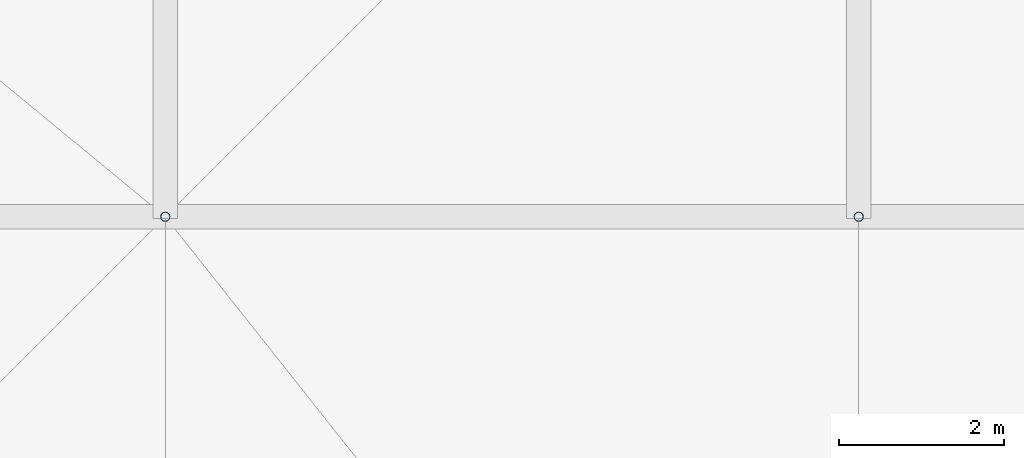
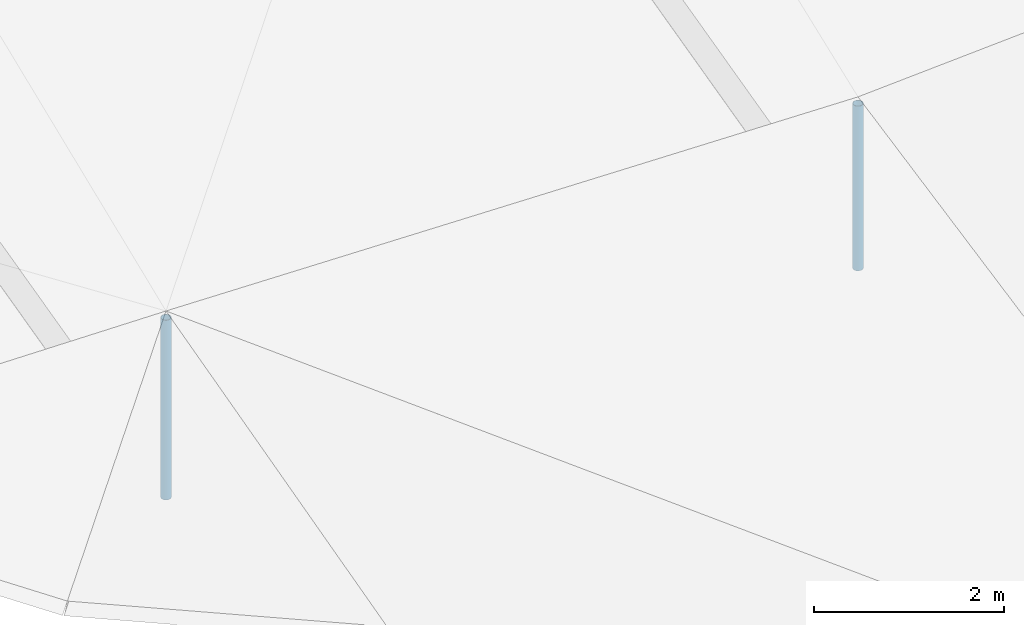
# One storey, part 23 of 111: 2 discrete accessories.
"""IFC4 building model written with IfcOpenShell, lengths in metres."""

import ifcopenshell
import ifcopenshell.guid

model = None  # the IFC model being written
_history = None  # IfcOwnerHistory: only IFC2X3 demands one
_inside = {}  # id of a spatial element -> (the spatial element, [elements in it])
_under = {}  # id of a project, library or spatial element -> (it, [spatial elements below it])
_declared = {}  # id of a project -> (the project, [libraries it declares])
_typed = {}  # id of a type object -> (the type object, [elements of that type])
_made_of = {}  # id of a material, layer set ... -> (it, [elements and type objects made of it])


def new_model(schema):
    """Start an empty IFC model of exactly this schema.

    Asked for "IFC4X3", IfcOpenShell would pick the latest addendum, in which some entities
    have other attributes; the version numbers below select the first issue.
    IFC2X3 requires an IfcOwnerHistory on every rooted entity: one is made here for all.
    """
    global model, _history
    if schema == "IFC4X3":
        model = ifcopenshell.file(schema_version=(4, 3, 0, 0))
    else:
        model = ifcopenshell.file(schema=schema)
    _inside.clear()
    _under.clear()
    _declared.clear()
    _typed.clear()
    _made_of.clear()
    _history = None
    if model.schema == "IFC2X3":
        org = make("IfcOrganization", Name="unknown")
        user = make(
            "IfcPersonAndOrganization",
            ThePerson=make("IfcPerson", FamilyName="unknown"),
            TheOrganization=org,
        )
        app = make(
            "IfcApplication",
            ApplicationDeveloper=org,
            Version="unknown",
            ApplicationFullName="unknown",
            ApplicationIdentifier="unknown",
        )
        _history = make(
            "IfcOwnerHistory",
            OwningUser=user,
            OwningApplication=app,
            ChangeAction="ADDED",
            CreationDate=0,
        )
    return model


def make(cls, **values):
    """One entity of the class cls with the attributes given. An attribute that is None is left unset."""
    return model.create_entity(
        cls, **{name: value for name, value in values.items() if value is not None}
    )


def rooted(cls, **values):
    """An entity with a GlobalId (a new one), such as an element, a storey or a relation."""
    return make(cls, GlobalId=ifcopenshell.guid.new(), OwnerHistory=_history, **values)


def si_unit(unit_type, name, prefix=None):
    """IfcSIUnit, for example si_unit("LENGTHUNIT", "METRE", prefix="MILLI")."""
    return make("IfcSIUnit", UnitType=unit_type, Prefix=prefix, Name=name)


def assignment(units):
    """IfcUnitAssignment: the units of a project."""
    return None if units is None else make("IfcUnitAssignment", Units=units)


def point(xyz):
    """IfcCartesianPoint."""
    return None if xyz is None else make("IfcCartesianPoint", Coordinates=xyz)


def direction(xyz):
    """IfcDirection."""
    return None if xyz is None else make("IfcDirection", DirectionRatios=xyz)


def frame(location, z_axis=None, x_axis=None):
    """IfcAxis2Placement3D, a coordinate frame: its origin and axes. An axis left out is left unset."""
    return make(
        "IfcAxis2Placement3D",
        Location=point(location),
        Axis=direction(z_axis),
        RefDirection=direction(x_axis),
    )


def frame_2d(location, x_axis=None):
    """IfcAxis2Placement2D, a coordinate frame in the plane: its origin and x axis."""
    return make(
        "IfcAxis2Placement2D", Location=point(location), RefDirection=direction(x_axis)
    )


def origin():
    """The frame at (0, 0, 0) with its axes left unset."""
    return frame((0.0, 0.0, 0.0))


def origin_2d():
    """The frame at (0, 0) in the plane with its x axis left unset."""
    return frame_2d((0.0, 0.0))


def place(relative_to, where):
    """IfcLocalPlacement: puts the frame where relative to a parent placement (None: the world)."""
    return make(
        "IfcLocalPlacement", PlacementRelTo=relative_to, RelativePlacement=where
    )


def context(
    kind, dimensions, precision=None, world=None, true_north=None, identifier=None
):
    """IfcGeometricRepresentationContext, for example the 3D "Model" context."""
    return make(
        "IfcGeometricRepresentationContext",
        ContextIdentifier=identifier,
        ContextType=kind,
        CoordinateSpaceDimension=dimensions,
        Precision=precision,
        WorldCoordinateSystem=world,
        TrueNorth=true_north,
    )


def subcontext(parent, identifier, kind, view, scale=None):
    """IfcGeometricRepresentationSubContext, for example "Body" below "Model"."""
    return make(
        "IfcGeometricRepresentationSubContext",
        ContextIdentifier=identifier,
        ContextType=kind,
        ParentContext=parent,
        TargetScale=scale,
        TargetView=view,
    )


def project(units=None, contexts=None):
    """IfcProject with its units and contexts."""
    return rooted(
        "IfcProject",
        Name="project",
        RepresentationContexts=contexts,
        UnitsInContext=assignment(units),
    )


def spatial(cls, under=None, at=None, **own):
    """A site, building, storey or space (cls), placed at a placement, below another one or the project."""
    s = rooted(cls, ObjectPlacement=at, **own)
    if under is not None:
        _under.setdefault(under.id(), (under, []))[1].append(s)
    return s


def profile(cls, at=None, kind="AREA", **sizes):
    """A parametric profile (cls). Its sizes go by their IFC names, for example OverallWidth=200.0."""
    return make(cls, ProfileType=kind, Position=at, **sizes)


def hollow_circle(**sizes):
    """IfcCircleHollowProfileDef."""
    return profile("IfcCircleHollowProfileDef", **sizes)


def extrude(swept, where, along, depth):
    """IfcExtrudedAreaSolid: the profile swept, set in the frame where, extruded along a direction by depth."""
    return make(
        "IfcExtrudedAreaSolid",
        SweptArea=swept,
        Position=where,
        ExtrudedDirection=direction(along),
        Depth=depth,
    )


def shape(context_of_items, identifier, shape_type, items):
    """IfcShapeRepresentation: the items that make up one representation, for example the "Body"."""
    return make(
        "IfcShapeRepresentation",
        ContextOfItems=context_of_items,
        RepresentationIdentifier=identifier,
        RepresentationType=shape_type,
        Items=items,
    )


def material(Name=None, Category=None):
    """IfcMaterial."""
    return make("IfcMaterial", Name=Name, Category=Category)


def material_profile(
    of_material, cross_section, Name=None, Category=None, Priority=None
):
    """IfcMaterialProfile: a cross section and its material."""
    return make(
        "IfcMaterialProfile",
        Name=Name,
        Material=of_material,
        Profile=cross_section,
        Priority=Priority,
        Category=Category,
    )


def profile_set(profiles, Name=None, composite=None):
    """IfcMaterialProfileSet."""
    return make(
        "IfcMaterialProfileSet",
        Name=Name,
        MaterialProfiles=profiles,
        CompositeProfile=composite,
    )


def made_of(thing, what):
    """Note that an element or type object is made of a material, layer set ...; save() writes the relation."""
    if what is not None:
        _made_of.setdefault(what.id(), (what, []))[1].append(thing)
    return thing


def type_object(cls, material=None, **own):
    """A type object (cls), such as IfcWallType, which elements share."""
    return made_of(rooted(cls, **own), material)


def element(
    cls,
    number,
    at=None,
    inside=None,
    cuts=None,
    type_object=None,
    material=None,
    context=None,
    identifier="Body",
    shape_type=None,
    held_by="IfcProductDefinitionShape",
    body=None,
    shapes=None,
    **own,
):
    """One element of the class cls, such as IfcWall. Its Tag is "e" and its number.

    at: its placement. inside: the storey or other place that contains it. cuts: it is an
    opening in that element (IfcRelVoidsElement). A single representation is given by context,
    identifier, shape_type and body (its items); several are given by shapes. held_by: the class
    of the entity that holds the representations. save() writes the other relations.
    """
    e = rooted(cls, Tag="e%d" % number, ObjectPlacement=at, **own)
    if body is not None:
        shapes = [shape(context, identifier, shape_type, body)]
    if shapes is not None:
        e.Representation = make(held_by, Representations=shapes)
    if inside is not None:
        _inside.setdefault(inside.id(), (inside, []))[1].append(e)
    if cuts is not None:
        rooted(
            "IfcRelVoidsElement", RelatingBuildingElement=cuts, RelatedOpeningElement=e
        )
    if type_object is not None:
        _typed.setdefault(type_object.id(), (type_object, []))[1].append(e)
    return made_of(e, material)


def aggregate(whole, parts):
    """IfcRelAggregates: a whole, such as a stair, and the parts it consists of."""
    return rooted("IfcRelAggregates", RelatingObject=whole, RelatedObjects=parts)


def save(model, path):
    """Write the relations noted so far, then the file.

    IfcRelAggregates (storeys below a building ...), IfcRelContainedInSpatialStructure (elements
    in a storey), IfcRelDefinesByType, IfcRelAssociatesMaterial and IfcRelDeclares: one each for
    every whole, place, type object, material and project.
    """
    for whole, parts in _under.values():
        aggregate(whole, parts)
    for where, things in _inside.values():
        rooted(
            "IfcRelContainedInSpatialStructure",
            RelatedElements=things,
            RelatingStructure=where,
        )
    for kind, things in _typed.values():
        rooted("IfcRelDefinesByType", RelatedObjects=things, RelatingType=kind)
    for what, things in _made_of.values():
        rooted("IfcRelAssociatesMaterial", RelatedObjects=things, RelatingMaterial=what)
    for by, libraries in _declared.values():
        rooted("IfcRelDeclares", RelatingContext=by, RelatedDefinitions=libraries)
    model.write(path)


model = new_model("IFC4")

# Units and contexts
model_context = context("Model", 3, precision=1e-05, world=origin(), true_north=direction((0.0, 1.0)))
body_context = subcontext(model_context, "Body", "Model", "MODEL_VIEW")
ifc_project = project(units=[si_unit("LENGTHUNIT", "METRE"), si_unit("AREAUNIT", "SQUARE_METRE"), si_unit("VOLUMEUNIT", "CUBIC_METRE"), si_unit("PLANEANGLEUNIT", "RADIAN"), si_unit("MASSUNIT", "GRAM", prefix="KILO")], contexts=[model_context])

# Site, building, storey
site_placement = place(None, origin())
site = spatial("IfcSite", under=ifc_project, at=site_placement, CompositionType="ELEMENT")
building_placement = place(site_placement, origin())
building = spatial("IfcBuilding", under=site, at=building_placement, Name="Rain Tree Exposition and Congress Centre", CompositionType="ELEMENT")
storey_placement = place(building_placement, frame((0.0, 0.0, 19.5)))
storey = spatial("IfcBuildingStorey", under=building, at=storey_placement, Name="RF", CompositionType="ELEMENT", Elevation=19.5)

# Discrete accessories
ifc_material = material(Name="Steel S355J2H", Category="steel")
ifc_material_profile = material_profile(ifc_material, hollow_circle(Radius=0.05712890625, WallThickness=0.00439453125, at=origin_2d()), Name="CHS 114x4.5")
ifc_profile_set = profile_set([ifc_material_profile], Name="Steel S355J2H")
discrete_accessory_type = type_object("IfcDiscreteAccessoryType", Name="Roof skin post CHS 114x4.5", PredefinedType="BRACKET", material=ifc_profile_set)
discrete_accessory_1_placement = place(storey_placement, frame((16.800048828125, 109.199951171875, 1.11669921875), z_axis=(0.0, 0.0, 1.0), x_axis=(1.0, 0.0, 0.0)))
element("IfcDiscreteAccessory", 1, at=discrete_accessory_1_placement, inside=storey, type_object=discrete_accessory_type, Name="Roof skin post A17", PredefinedType="BRACKET", context=body_context, shape_type="SweptSolid", body=[
    extrude(hollow_circle(Radius=0.05712890625, WallThickness=0.00439453125, at=origin_2d()), origin(), (0.0, 0.0, 1.0), 2.306884765625),
])
discrete_accessory_2_placement = place(storey_placement, frame((25.199951171875, 109.199951171875, 1.11669921875), z_axis=(0.0, 0.0, 1.0), x_axis=(1.0, 0.0, 0.0)))
element("IfcDiscreteAccessory", 2, at=discrete_accessory_2_placement, inside=storey, type_object=discrete_accessory_type, Name="Roof skin post A18", PredefinedType="BRACKET", context=body_context, shape_type="SweptSolid", body=[
    extrude(hollow_circle(Radius=0.05712890625, WallThickness=0.00439453125, at=origin_2d()), origin(), (0.0, 0.0, 1.0), 2.113525390625),
])

save(model, "model.ifc")
